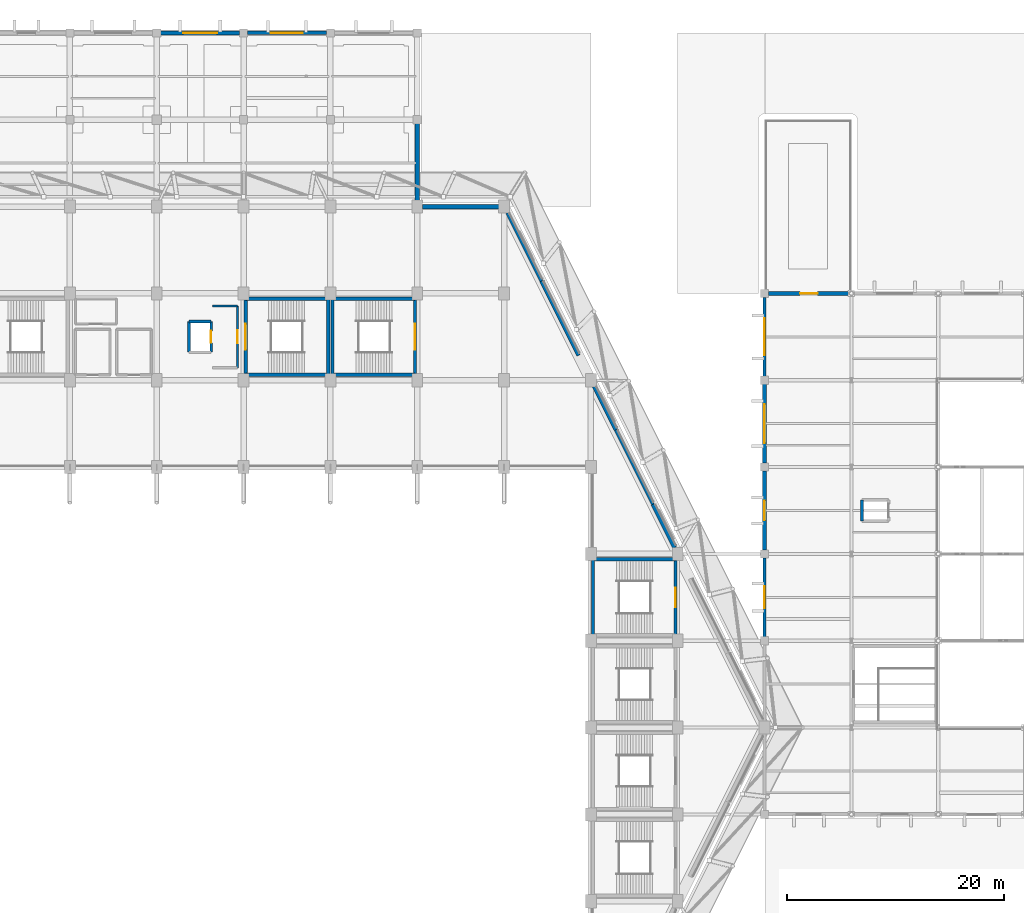
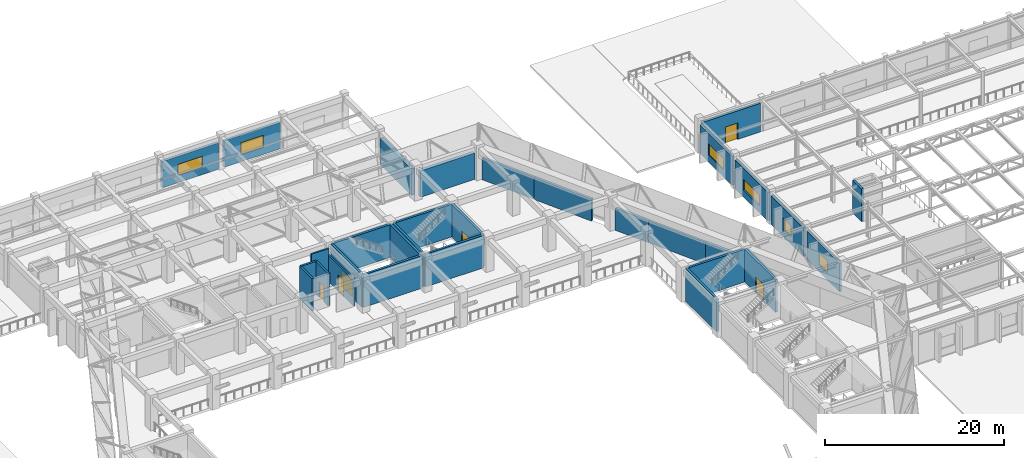
# One storey, part 34 of 46: 31 walls, 6 doors, 6 windows, 12 openings.
"""IFC4 building model written with IfcOpenShell, lengths in metres."""

from ifc_helpers import new_model, si_unit, direction, frame, frame_2d, origin, place, context, subcontext, project, spatial, rectangle, extrude, material, layer, layer_set, type_object, element, fill, save


model = new_model("IFC4")

# Units and contexts
model_context = context("Model", 3, precision=1e-05, world=origin(), true_north=direction((0.0, 1.0)))
body_context = subcontext(model_context, "Body", "Model", "MODEL_VIEW")
ifc_project = project(units=[si_unit("LENGTHUNIT", "METRE"), si_unit("AREAUNIT", "SQUARE_METRE"), si_unit("VOLUMEUNIT", "CUBIC_METRE"), si_unit("PLANEANGLEUNIT", "RADIAN"), si_unit("MASSUNIT", "GRAM", prefix="KILO")], contexts=[model_context])

# Site, building, storey
site_placement = place(None, origin())
site = spatial("IfcSite", under=ifc_project, at=site_placement, CompositionType="ELEMENT")
building_placement = place(site_placement, origin())
building = spatial("IfcBuilding", under=site, at=building_placement, Name="Tazarka Park Arena", CompositionType="ELEMENT")
storey_placement = place(building_placement, frame((0.0, 0.0, 10.199951171875)))
storey = spatial("IfcBuildingStorey", under=building, at=storey_placement, Name="L02", CompositionType="ELEMENT", Elevation=10.199951171875)

# Walls
ifc_material_1 = material(Name="Concrete C40/50", Category="concrete")
ifc_layer_1 = layer(ifc_material_1, 0.300048828125, Name="Concrete C40/50")
ifc_layer_set_1 = layer_set([ifc_layer_1], Name="Concrete C40/50")
wall_type_1 = type_object("IfcWallType", Name="IWAL-CW-S1", PredefinedType="SHEAR", material=ifc_layer_set_1)
wall_1_placement = place(storey_placement, frame((103.800048828125, 96.5, 0.0), z_axis=(0.0, 0.0, 1.0), x_axis=(-1.0, 0.0, 0.0)))
element("IfcWall", 1, at=wall_1_placement, inside=storey, type_object=wall_type_1, Name="SCW-L02-ST10-S", PredefinedType="SHEAR", context=body_context, shape_type="SweptSolid", body=[
    extrude(rectangle(XDim=7.60009765625, YDim=0.300048828125, at=frame_2d((3.800048828125, 0.0))), origin(), (0.0, 0.0, 1.0), 4.4599609375),
])
wall_2_placement = place(storey_placement, frame((96.199951171875, 96.5, 0.0), z_axis=(0.0, 0.0, 1.0), x_axis=(0.0, 1.0, 0.0)))
element("IfcWall", 2, at=wall_2_placement, inside=storey, type_object=wall_type_1, Name="SCW-L02-ST10-W", PredefinedType="SHEAR", context=body_context, shape_type="SweptSolid", body=[
    extrude(rectangle(XDim=7.0, YDim=0.300048828125, at=frame_2d((3.5, 0.0))), origin(), (0.0, 0.0, 1.0), 4.4599609375),
])
wall_3_placement = place(storey_placement, frame((96.199951171875, 103.5, 0.0), z_axis=(0.0, 0.0, 1.0), x_axis=(1.0, 0.0, 0.0)))
element("IfcWall", 3, at=wall_3_placement, inside=storey, type_object=wall_type_1, Name="SCW-L02-ST10-N", PredefinedType="SHEAR", context=body_context, shape_type="SweptSolid", body=[
    extrude(rectangle(XDim=7.60009765625, YDim=0.300048828125, at=frame_2d((3.800048828125, 0.0))), origin(), (0.0, 0.0, 1.0), 4.4599609375),
])

# Wall, opening, door
wall_4_placement = place(storey_placement, frame((103.800048828125, 103.5, 0.0), z_axis=(0.0, 0.0, 1.0), x_axis=(0.0, -1.0, 0.0)))
wall_4 = element("IfcWall", 4, at=wall_4_placement, inside=storey, type_object=wall_type_1, Name="SCW-L02-ST10-E", PredefinedType="SHEAR", context=body_context, shape_type="SweptSolid", body=[
    extrude(rectangle(XDim=7.0, YDim=0.300048828125, at=frame_2d((3.5, 0.0))), origin(), (0.0, 0.0, 1.0), 4.4599609375),
])
opening_1_placement = place(wall_4_placement, frame((2.300048828125, 0.0, 0.0)))
opening_1 = element("IfcOpeningElement", 5, at=opening_1_placement, cuts=wall_4, Name="Opening ID-05", PredefinedType="OPENING", context=body_context, shape_type="SweptSolid", body=[
    extrude(rectangle(XDim=2.39990234375, YDim=2.199951171875, at=frame_2d((1.199951171875, 1.10009765625))), frame((0.0, 0.16015625, 0.0), z_axis=(0.0, -1.0, 0.0), x_axis=(1.0, 0.0, 0.0)), (0.0, 0.0, 1.0), 0.320068359375),
])
ifc_material_2 = material(Name="Fire-rated powder-coated steel and acoustic timber", Category="steel")
door_type_1 = type_object("IfcDoorType", Name="IDR-ID-05", OperationType="NOTDEFINED", PredefinedType="DOOR", material=ifc_material_2)
door_1_placement = place(opening_1_placement, frame((2.39990234375, 0.0, 0.0), z_axis=(0.0, 0.0, 1.0), x_axis=(-1.0, 0.0, 0.0)))
door_1 = element("IfcDoor", 6, at=door_1_placement, inside=storey, type_object=door_type_1, Name="Exit Stair Door ST10-L02", OperationType="DOUBLE_DOOR_SINGLE_SWING", OverallHeight=2.199951171875, OverallWidth=2.39990234375, PredefinedType="DOOR", context=body_context, shape_type="SweptSolid", body=[
    extrude(rectangle(XDim=2.39990234375, YDim=2.199951171875, at=frame_2d((1.199951171875, 1.10009765625))), frame((0.0, 0.02490234375, 0.0), z_axis=(0.0, -1.0, 0.0), x_axis=(1.0, 0.0, 0.0)), (0.0, 0.0, 1.0), 0.050048828125),
])
fill(opening_1, door_1)

# Wall
wall_5_placement = place(storey_placement, frame((95.800048828125, 96.5, 0.0), z_axis=(0.0, 0.0, 1.0), x_axis=(-1.0, 0.0, 0.0)))
element("IfcWall", 7, at=wall_5_placement, inside=storey, type_object=wall_type_1, Name="SCW-L02-ST15-S", PredefinedType="SHEAR", context=body_context, shape_type="SweptSolid", body=[
    extrude(rectangle(XDim=7.60009765625, YDim=0.300048828125, at=frame_2d((3.800048828125, 0.0))), origin(), (0.0, 0.0, 1.0), 4.4599609375),
])

# Wall, opening, door
wall_6_placement = place(storey_placement, frame((88.199951171875, 96.5, 0.0), z_axis=(0.0, 0.0, 1.0), x_axis=(0.0, 1.0, 0.0)))
wall_6 = element("IfcWall", 8, at=wall_6_placement, inside=storey, type_object=wall_type_1, Name="SCW-L02-ST15-W", PredefinedType="SHEAR", context=body_context, shape_type="SweptSolid", body=[
    extrude(rectangle(XDim=7.0, YDim=0.300048828125, at=frame_2d((3.5, 0.0))), origin(), (0.0, 0.0, 1.0), 4.4599609375),
])
opening_2_placement = place(wall_6_placement, frame((2.300048828125, 0.0, 0.0)))
opening_2 = element("IfcOpeningElement", 9, at=opening_2_placement, cuts=wall_6, Name="Opening ID-05", PredefinedType="OPENING", context=body_context, shape_type="SweptSolid", body=[
    extrude(rectangle(XDim=2.39990234375, YDim=2.199951171875, at=frame_2d((1.199951171875, 1.10009765625))), frame((0.0, 0.16015625, 0.0), z_axis=(0.0, -1.0, 0.0), x_axis=(1.0, 0.0, 0.0)), (0.0, 0.0, 1.0), 0.320068359375),
])
door_2_placement = place(opening_2_placement, frame((2.39990234375, 0.0, 0.0), z_axis=(0.0, 0.0, 1.0), x_axis=(-1.0, 0.0, 0.0)))
door_2 = element("IfcDoor", 10, at=door_2_placement, inside=storey, type_object=door_type_1, Name="Exit Stair Door ST15-L02", OperationType="DOUBLE_DOOR_SINGLE_SWING", OverallHeight=2.199951171875, OverallWidth=2.39990234375, PredefinedType="DOOR", context=body_context, shape_type="SweptSolid", body=[
    extrude(rectangle(XDim=2.39990234375, YDim=2.199951171875, at=frame_2d((1.199951171875, 1.10009765625))), frame((0.0, 0.02490234375, 0.0), z_axis=(0.0, -1.0, 0.0), x_axis=(1.0, 0.0, 0.0)), (0.0, 0.0, 1.0), 0.050048828125),
])
fill(opening_2, door_2)

# Walls
wall_7_placement = place(storey_placement, frame((88.199951171875, 103.5, 0.0), z_axis=(0.0, 0.0, 1.0), x_axis=(1.0, 0.0, 0.0)))
element("IfcWall", 11, at=wall_7_placement, inside=storey, type_object=wall_type_1, Name="SCW-L02-ST15-N", PredefinedType="SHEAR", context=body_context, shape_type="SweptSolid", body=[
    extrude(rectangle(XDim=7.60009765625, YDim=0.300048828125, at=frame_2d((3.800048828125, 0.0))), origin(), (0.0, 0.0, 1.0), 4.4599609375),
])
for number, where, z_axis, x_axis, name in (
    (12, (95.800048828125, 103.5, 0.0), (0.0, 0.0, 1.0), (0.0, -1.0, 0.0), "SCW-L02-ST15-E"),
    (13, (120.199951171875, 72.5, 0.0), (0.0, 0.0, 1.0), (0.0, 1.0, 0.0), "SCW-L02-ST22-W"),
):
    element("IfcWall", number, at=place(storey_placement, frame(where, z_axis=z_axis, x_axis=x_axis)), inside=storey, type_object=wall_type_1, Name=name, PredefinedType="SHEAR", context=body_context, shape_type="SweptSolid", body=[
        extrude(rectangle(XDim=7.0, YDim=0.300048828125, at=frame_2d((3.5, 0.0))), origin(), (0.0, 0.0, 1.0), 4.4599609375),
    ])
wall_8_placement = place(storey_placement, frame((120.199951171875, 79.5, 0.0), z_axis=(0.0, 0.0, 1.0), x_axis=(1.0, 0.0, 0.0)))
element("IfcWall", 14, at=wall_8_placement, inside=storey, type_object=wall_type_1, Name="SCW-L02-ST22-N", PredefinedType="SHEAR", context=body_context, shape_type="SweptSolid", body=[
    extrude(rectangle(XDim=7.60009765625, YDim=0.300048828125, at=frame_2d((3.800048828125, 0.0))), origin(), (0.0, 0.0, 1.0), 4.4599609375),
])

# Wall, opening, door
wall_9_placement = place(storey_placement, frame((127.800048828125, 79.5, 0.0), z_axis=(0.0, 0.0, 1.0), x_axis=(0.0, -1.0, 0.0)))
wall_9 = element("IfcWall", 15, at=wall_9_placement, inside=storey, type_object=wall_type_1, Name="SCW-L02-ST22-E", PredefinedType="SHEAR", context=body_context, shape_type="SweptSolid", body=[
    extrude(rectangle(XDim=7.0, YDim=0.300048828125, at=frame_2d((3.5, 0.0))), origin(), (0.0, 0.0, 1.0), 4.4599609375),
])
opening_3_placement = place(wall_9_placement, frame((2.60009765625, 0.0, 0.0)))
opening_3 = element("IfcOpeningElement", 16, at=opening_3_placement, cuts=wall_9, Name="Opening ID-04", PredefinedType="OPENING", context=body_context, shape_type="SweptSolid", body=[
    extrude(rectangle(XDim=1.800048828125, YDim=2.199951171875, at=frame_2d((0.89990234375, 1.10009765625))), frame((0.0, 0.16015625, 0.0), z_axis=(0.0, -1.0, 0.0), x_axis=(1.0, 0.0, 0.0)), (0.0, 0.0, 1.0), 0.320068359375),
])
ifc_material_3 = material(Name="Fire-rated powder-coated steel and acoustic timber", Category="steel")
door_type_2 = type_object("IfcDoorType", Name="IDR-ID-04", OperationType="NOTDEFINED", PredefinedType="DOOR", material=ifc_material_3)
door_3_placement = place(opening_3_placement, frame((1.800048828125, 0.0, 0.0), z_axis=(0.0, 0.0, 1.0), x_axis=(-1.0, 0.0, 0.0)))
door_3 = element("IfcDoor", 17, at=door_3_placement, inside=storey, type_object=door_type_2, Name="Vomitory Stair Door ST22-L02", OperationType="DOUBLE_DOOR_SINGLE_SWING", OverallHeight=2.199951171875, OverallWidth=1.800048828125, PredefinedType="DOOR", context=body_context, shape_type="SweptSolid", body=[
    extrude(rectangle(XDim=1.800048828125, YDim=2.199951171875, at=frame_2d((0.89990234375, 1.10009765625))), frame((0.0, 0.02490234375, 0.0), z_axis=(0.0, -1.0, 0.0), x_axis=(1.0, 0.0, 0.0)), (0.0, 0.0, 1.0), 0.050048828125),
])
fill(opening_3, door_3)

# Walls
ifc_material_4 = material(Name="Concrete C40/50", Category="concrete")
ifc_layer_2 = layer(ifc_material_4, 0.260009765625, Name="Concrete C40/50")
ifc_layer_set_2 = layer_set([ifc_layer_2], Name="Concrete C40/50")
wall_type_2 = type_object("IfcWallType", Name="IWAL-CW-S3", PredefinedType="SHEAR", material=ifc_layer_set_2)
wall_10_placement = place(storey_placement, frame((82.97998046875, 98.580078125, 0.0), z_axis=(0.0, 0.0, 1.0), x_axis=(0.0, 1.0, 0.0)))
element("IfcWall", 18, at=wall_10_placement, inside=storey, type_object=wall_type_2, Name="LSW-L02-LF-03-W", PredefinedType="SHEAR", context=body_context, shape_type="SweptSolid", body=[
    extrude(rectangle(XDim=2.83984375, YDim=0.260009765625, at=frame_2d((1.419921875, 0.0))), origin(), (0.0, 0.0, 1.0), 4.4599609375),
])
wall_11_placement = place(storey_placement, frame((82.97998046875, 101.419921875, 0.0), z_axis=(0.0, 0.0, 1.0), x_axis=(1.0, 0.0, 0.0)))
element("IfcWall", 19, at=wall_11_placement, inside=storey, type_object=wall_type_2, Name="LSW-L02-LF-03-N", PredefinedType="SHEAR", context=body_context, shape_type="SweptSolid", body=[
    extrude(rectangle(XDim=2.0400390625, YDim=0.260009765625, at=frame_2d((1.02001953125, 0.0))), origin(), (0.0, 0.0, 1.0), 4.4599609375),
])

# Wall, opening, door
wall_12_placement = place(storey_placement, frame((85.02001953125, 101.419921875, 0.0), z_axis=(0.0, 0.0, 1.0), x_axis=(0.0, -1.0, 0.0)))
wall_12 = element("IfcWall", 20, at=wall_12_placement, inside=storey, type_object=wall_type_2, Name="LSW-L02-LF-03-E", PredefinedType="SHEAR", context=body_context, shape_type="SweptSolid", body=[
    extrude(rectangle(XDim=2.83984375, YDim=0.260009765625, at=frame_2d((1.419921875, 0.0))), origin(), (0.0, 0.0, 1.0), 4.4599609375),
])
opening_4_placement = place(wall_12_placement, frame((0.8701171875, 0.0, 0.0)))
opening_4 = element("IfcOpeningElement", 21, at=opening_4_placement, cuts=wall_12, Name="Opening LD-01", PredefinedType="OPENING", context=body_context, shape_type="SweptSolid", body=[
    extrude(rectangle(XDim=1.10009765625, YDim=2.14990234375, at=frame_2d((0.550048828125, 1.074951171875))), frame((0.0, 0.14013671875, 0.0), z_axis=(0.0, -1.0, 0.0), x_axis=(1.0, 0.0, 0.0)), (0.0, 0.0, 1.0), 0.280029296875),
])
ifc_material_5 = material(Name="Fire-rated powder-coated steel and acoustic timber", Category="steel")
door_type_3 = type_object("IfcDoorType", Name="IDR-LD-01", OperationType="NOTDEFINED", PredefinedType="DOOR", material=ifc_material_5)
door_4_placement = place(opening_4_placement, origin())
door_4 = element("IfcDoor", 22, at=door_4_placement, inside=storey, type_object=door_type_3, Name="Lift Landing Door LF-03-L02", OperationType="SLIDING_TO_LEFT", OverallHeight=2.14990234375, OverallWidth=1.10009765625, PredefinedType="DOOR", context=body_context, shape_type="SweptSolid", body=[
    extrude(rectangle(XDim=1.10009765625, YDim=2.14990234375, at=frame_2d((0.550048828125, 1.074951171875))), frame((0.0, 0.02490234375, 0.0), z_axis=(0.0, -1.0, 0.0), x_axis=(1.0, 0.0, 0.0)), (0.0, 0.0, 1.0), 0.050048828125),
])
fill(opening_4, door_4)

# Walls
wall_13_placement = place(storey_placement, frame((144.97998046875, 83.030029296875, 0.0), z_axis=(0.0, 0.0, 1.0), x_axis=(0.0, 1.0, 0.0)))
element("IfcWall", 23, at=wall_13_placement, inside=storey, type_object=wall_type_2, Name="LSW-L02-LF-10-W", PredefinedType="SHEAR", context=body_context, shape_type="SweptSolid", body=[
    extrude(rectangle(XDim=1.93994140625, YDim=0.260009765625, at=frame_2d((0.969970703125, 0.0))), origin(), (0.0, 0.0, 1.0), 4.4599609375),
])
ifc_material_6 = material(Name="Reinforced masonry compartment wall", Category="masonry")
ifc_layer_3 = layer(ifc_material_6, 0.199951171875, Name="Reinforced masonry compartment wall")
ifc_layer_set_3 = layer_set([ifc_layer_3], Name="Reinforced masonry compartment wall")
wall_type_3 = type_object("IfcWallType", Name="IWAL-PT-04", PredefinedType="PARTITIONING", material=ifc_layer_set_3)
wall_14_placement = place(storey_placement, frame((85.14990234375, 102.85009765625, 0.0), z_axis=(0.0, 0.0, 1.0), x_axis=(1.0, 0.0, 0.0)))
element("IfcWall", 24, at=wall_14_placement, inside=storey, type_object=wall_type_3, Name="FFW-L02-LF-03-N", PredefinedType="PARTITIONING", context=body_context, shape_type="SweptSolid", body=[
    extrude(rectangle(XDim=2.300048828125, YDim=0.199951171875, at=frame_2d((1.14990234375, 0.0))), origin(), (0.0, 0.0, 1.0), 4.4599609375),
])

# Wall, opening, door
wall_15_placement = place(storey_placement, frame((87.449951171875, 102.85009765625, 0.0), z_axis=(0.0, 0.0, 1.0), x_axis=(0.0, -1.0, 0.0)))
wall_15 = element("IfcWall", 25, at=wall_15_placement, inside=storey, type_object=wall_type_3, Name="FFW-L02-LF-03-E", PredefinedType="PARTITIONING", context=body_context, shape_type="SweptSolid", body=[
    extrude(rectangle(XDim=5.7001953125, YDim=0.199951171875, at=frame_2d((2.85009765625, 0.0))), origin(), (0.0, 0.0, 1.0), 3.60009765625),
])
opening_5_placement = place(wall_15_placement, frame((2.25, 0.0, 0.0)))
opening_5 = element("IfcOpeningElement", 26, at=opening_5_placement, cuts=wall_15, Name="Opening ID-03", PredefinedType="OPENING", context=body_context, shape_type="SweptSolid", body=[
    extrude(rectangle(XDim=1.199951171875, YDim=2.199951171875, at=frame_2d((0.60009765625, 1.10009765625))), frame((0.0, 0.10986328125, 0.0), z_axis=(0.0, -1.0, 0.0), x_axis=(1.0, 0.0, 0.0)), (0.0, 0.0, 1.0), 0.219970703125),
])
ifc_material_7 = material(Name="Fire-rated powder-coated steel and acoustic timber", Category="steel")
door_type_4 = type_object("IfcDoorType", Name="IDR-ID-03", OperationType="NOTDEFINED", PredefinedType="DOOR", material=ifc_material_7)
door_5_placement = place(opening_5_placement, origin())
door_5 = element("IfcDoor", 27, at=door_5_placement, inside=storey, type_object=door_type_4, Name="Firefighting Lobby Door LF-03-L02", OperationType="SINGLE_SWING_RIGHT", OverallHeight=2.199951171875, OverallWidth=1.199951171875, PredefinedType="DOOR", context=body_context, shape_type="SweptSolid", body=[
    extrude(rectangle(XDim=1.199951171875, YDim=2.199951171875, at=frame_2d((0.60009765625, 1.10009765625))), frame((0.0, 0.02490234375, 0.0), z_axis=(0.0, -1.0, 0.0), x_axis=(1.0, 0.0, 0.0)), (0.0, 0.0, 1.0), 0.050048828125),
])
fill(opening_5, door_5)

# Wall, opening, window
ifc_material_8 = material(Name="Precast concrete C40/50", Category="concrete")
ifc_layer_4 = layer(ifc_material_8, 0.320068359375, Name="Precast concrete C40/50")
ifc_layer_set_4 = layer_set([ifc_layer_4], Name="Precast concrete C40/50")
wall_type_4 = type_object("IfcWallType", Name="WAL-EW-02", PredefinedType="SOLIDWALL", material=ifc_layer_set_4)
wall_16_placement = place(storey_placement, frame((88.35498046875, 128.0, 0.0), z_axis=(0.0, 0.0, 1.0), x_axis=(1.0, 0.0, 0.0)))
wall_16 = element("IfcWall", 28, at=wall_16_placement, inside=storey, type_object=wall_type_4, Name="EW-L02-0225", PredefinedType="SOLIDWALL", context=body_context, shape_type="SweptSolid", body=[
    extrude(rectangle(XDim=7.2900390625, YDim=0.320068359375, at=frame_2d((3.64501953125, 0.0))), origin(), (0.0, 0.0, 1.0), 3.60009765625),
])
opening_6_placement = place(wall_16_placement, frame((2.169921875, 0.0, 0.949951171875)))
opening_6 = element("IfcOpeningElement", 29, at=opening_6_placement, cuts=wall_16, Name="Opening WN-32", PredefinedType="OPENING", context=body_context, shape_type="SweptSolid", body=[
    extrude(rectangle(XDim=2.949951171875, YDim=1.64990234375, at=frame_2d((1.47509765625, 0.824951171875))), frame((0.0, 0.169921875, 0.0), z_axis=(0.0, -1.0, 0.0), x_axis=(1.0, 0.0, 0.0)), (0.0, 0.0, 1.0), 0.340087890625),
])
ifc_material_9 = material(Name="Thermally broken aluminium and solar-control low-e glazing", Category="aluminium")
window_type_1 = type_object("IfcWindowType", Name="WIN-WN-32", PartitioningType="DOUBLE_PANEL_VERTICAL", PredefinedType="WINDOW", material=ifc_material_9)
window_1_placement = place(opening_6_placement, origin())
window_1 = element("IfcWindow", 30, at=window_1_placement, inside=storey, type_object=window_type_1, Name="WIN-L02-0032", OverallHeight=1.64990234375, OverallWidth=2.949951171875, PartitioningType="SINGLE_PANEL", PredefinedType="WINDOW", context=body_context, shape_type="SweptSolid", body=[
    extrude(rectangle(XDim=2.949951171875, YDim=1.64990234375, at=frame_2d((1.47509765625, 0.824951171875))), frame((0.0, 0.030029296875, 0.0), z_axis=(0.0, -1.0, 0.0), x_axis=(1.0, 0.0, 0.0)), (0.0, 0.0, 1.0), 0.06005859375),
])
fill(opening_6, window_1)

ifc_material_10 = material(Name="Concrete C40/50", Category="concrete")
ifc_layer_5 = layer(ifc_material_10, 0.340087890625, Name="Concrete C40/50")
ifc_layer_set_5 = layer_set([ifc_layer_5], Name="Concrete C40/50")
wall_type_5 = type_object("IfcWallType", Name="WAL-EW-03", PredefinedType="SOLIDWALL", material=ifc_layer_set_5)
wall_17_placement = place(storey_placement, frame((80.35498046875, 128.0, 0.0), z_axis=(0.0, 0.0, 1.0), x_axis=(1.0, 0.0, 0.0)))
wall_17 = element("IfcWall", 31, at=wall_17_placement, inside=storey, type_object=wall_type_5, Name="EW-L02-0226", PredefinedType="SOLIDWALL", context=body_context, shape_type="SweptSolid", body=[
    extrude(rectangle(XDim=7.2900390625, YDim=0.340087890625, at=frame_2d((3.64501953125, 0.0))), origin(), (0.0, 0.0, 1.0), 3.60009765625),
])
opening_7_placement = place(wall_17_placement, frame((2.070068359375, 0.0, 0.949951171875)))
opening_7 = element("IfcOpeningElement", 32, at=opening_7_placement, cuts=wall_17, Name="Opening WN-33", PredefinedType="OPENING", context=body_context, shape_type="SweptSolid", body=[
    extrude(rectangle(XDim=3.14990234375, YDim=1.550048828125, at=frame_2d((1.574951171875, 0.77490234375))), frame((0.0, 0.18017578125, 0.0), z_axis=(0.0, -1.0, 0.0), x_axis=(1.0, 0.0, 0.0)), (0.0, 0.0, 1.0), 0.360107421875),
])
ifc_material_11 = material(Name="Thermally broken aluminium and solar-control low-e glazing", Category="aluminium")
window_type_2 = type_object("IfcWindowType", Name="WIN-WN-33", PartitioningType="DOUBLE_PANEL_VERTICAL", PredefinedType="WINDOW", material=ifc_material_11)
window_2_placement = place(opening_7_placement, origin())
window_2 = element("IfcWindow", 33, at=window_2_placement, inside=storey, type_object=window_type_2, Name="WIN-L02-0033", OverallHeight=1.550048828125, OverallWidth=3.14990234375, PartitioningType="SINGLE_PANEL", PredefinedType="WINDOW", context=body_context, shape_type="SweptSolid", body=[
    extrude(rectangle(XDim=3.14990234375, YDim=1.550048828125, at=frame_2d((1.574951171875, 0.77490234375))), frame((0.0, 0.030029296875, 0.0), z_axis=(0.0, -1.0, 0.0), x_axis=(1.0, 0.0, 0.0)), (0.0, 0.0, 1.0), 0.06005859375),
])
fill(opening_7, window_2)

ifc_material_12 = material(Name="Concrete C50/60", Category="concrete")
ifc_layer_6 = layer(ifc_material_12, 0.3798828125, Name="Concrete C50/60")
ifc_layer_set_6 = layer_set([ifc_layer_6], Name="Concrete C50/60")
wall_type_6 = type_object("IfcWallType", Name="WAL-EW-05", PredefinedType="SOLIDWALL", material=ifc_layer_set_6)
wall_18_placement = place(storey_placement, frame((136.0, 80.35498046875, 0.0), z_axis=(0.0, 0.0, 1.0), x_axis=(0.0, 1.0, 0.0)))
wall_18 = element("IfcWall", 34, at=wall_18_placement, inside=storey, type_object=wall_type_6, Name="EW-L02-0260", PredefinedType="SOLIDWALL", context=body_context, shape_type="SweptSolid", body=[
    extrude(rectangle(XDim=7.2900390625, YDim=0.3798828125, at=frame_2d((3.64501953125, 0.0))), origin(), (0.0, 0.0, 1.0), 3.91015625),
])
opening_8_placement = place(wall_18_placement, frame((2.7451171875, 0.0, 0.949951171875)))
opening_8 = element("IfcOpeningElement", 35, at=opening_8_placement, cuts=wall_18, Name="Opening WN-02", PredefinedType="OPENING", context=body_context, shape_type="SweptSolid", body=[
    extrude(rectangle(XDim=1.800048828125, YDim=1.60009765625, at=frame_2d((0.89990234375, 0.800048828125))), frame((0.0, 0.199951171875, 0.0), z_axis=(0.0, -1.0, 0.0), x_axis=(1.0, 0.0, 0.0)), (0.0, 0.0, 1.0), 0.39990234375),
])
ifc_material_13 = material(Name="Thermally broken aluminium and solar-control low-e glazing", Category="aluminium")
window_type_3 = type_object("IfcWindowType", Name="WIN-WN-02", PartitioningType="DOUBLE_PANEL_VERTICAL", PredefinedType="WINDOW", material=ifc_material_13)
window_3_placement = place(opening_8_placement, origin())
window_3 = element("IfcWindow", 36, at=window_3_placement, inside=storey, type_object=window_type_3, Name="WIN-L02-0038", OverallHeight=1.60009765625, OverallWidth=1.800048828125, PartitioningType="SINGLE_PANEL", PredefinedType="WINDOW", context=body_context, shape_type="SweptSolid", body=[
    extrude(rectangle(XDim=1.800048828125, YDim=1.60009765625, at=frame_2d((0.89990234375, 0.800048828125))), frame((0.0, 0.030029296875, 0.0), z_axis=(0.0, -1.0, 0.0), x_axis=(1.0, 0.0, 0.0)), (0.0, 0.0, 1.0), 0.06005859375),
])
fill(opening_8, window_3)

ifc_material_14 = material(Name="Precast concrete C40/50", Category="concrete")
ifc_layer_7 = layer(ifc_material_14, 0.280029296875, Name="Precast concrete C40/50")
ifc_layer_set_7 = layer_set([ifc_layer_7], Name="Precast concrete C40/50")
wall_type_7 = type_object("IfcWallType", Name="WAL-EW-06", PredefinedType="SOLIDWALL", material=ifc_layer_set_7)
wall_19_placement = place(storey_placement, frame((136.0, 72.35498046875, 0.0), z_axis=(0.0, 0.0, 1.0), x_axis=(0.0, 1.0, 0.0)))
wall_19 = element("IfcWall", 37, at=wall_19_placement, inside=storey, type_object=wall_type_7, Name="EW-L02-0261", PredefinedType="SOLIDWALL", context=body_context, shape_type="SweptSolid", body=[
    extrude(rectangle(XDim=7.2900390625, YDim=0.280029296875, at=frame_2d((3.64501953125, 0.0))), origin(), (0.0, 0.0, 1.0), 3.91015625),
])
opening_9_placement = place(wall_19_placement, frame((2.64501953125, 0.0, 0.949951171875)))
opening_9 = element("IfcOpeningElement", 38, at=opening_9_placement, cuts=wall_19, Name="Opening WN-03", PredefinedType="OPENING", context=body_context, shape_type="SweptSolid", body=[
    extrude(rectangle(XDim=2.0, YDim=1.60009765625, at=frame_2d((1.0, 0.800048828125))), frame((0.0, 0.14990234375, 0.0), z_axis=(0.0, -1.0, 0.0), x_axis=(1.0, 0.0, 0.0)), (0.0, 0.0, 1.0), 0.300048828125),
])
ifc_material_15 = material(Name="Thermally broken aluminium and solar-control low-e glazing", Category="aluminium")
window_type_4 = type_object("IfcWindowType", Name="WIN-WN-03", PartitioningType="DOUBLE_PANEL_VERTICAL", PredefinedType="WINDOW", material=ifc_material_15)
window_4_placement = place(opening_9_placement, origin())
window_4 = element("IfcWindow", 39, at=window_4_placement, inside=storey, type_object=window_type_4, Name="WIN-L02-0039", OverallHeight=1.60009765625, OverallWidth=2.0, PartitioningType="SINGLE_PANEL", PredefinedType="WINDOW", context=body_context, shape_type="SweptSolid", body=[
    extrude(rectangle(XDim=2.0, YDim=1.60009765625, at=frame_2d((1.0, 0.800048828125))), frame((0.0, 0.030029296875, 0.0), z_axis=(0.0, -1.0, 0.0), x_axis=(1.0, 0.0, 0.0)), (0.0, 0.0, 1.0), 0.06005859375),
])
fill(opening_9, window_4)

# Walls
ifc_material_16 = material(Name="Precast concrete C40/50", Category="concrete")
ifc_layer_8 = layer(ifc_material_16, 0.31005859375, Name="Precast concrete C40/50")
ifc_layer_set_8 = layer_set([ifc_layer_8], Name="Precast concrete C40/50")
wall_type_8 = type_object("IfcWallType", Name="WAL-EW-08", PredefinedType="SOLIDWALL", material=ifc_layer_set_8)
wall_20_placement = place(storey_placement, frame((112.2900390625, 111.419921875, 0.0), z_axis=(0.0, 0.0, 1.0), x_axis=(0.447227510427, -0.894420233401, 0.0)))
element("IfcWall", 40, at=wall_20_placement, inside=storey, type_object=wall_type_8, Name="EW-L02-0215", PredefinedType="SOLIDWALL", context=body_context, shape_type="SweptSolid", body=[
    extrude(rectangle(XDim=7.01806640625, YDim=0.31005859375, at=frame_2d((3.509033203125, 0.0))), origin(), (0.0, 0.0, 1.0), 3.0),
])
ifc_material_17 = material(Name="Concrete C40/50", Category="concrete")
ifc_layer_9 = layer(ifc_material_17, 0.330078125, Name="Concrete C40/50")
ifc_layer_set_9 = layer_set([ifc_layer_9], Name="Concrete C40/50")
wall_type_9 = type_object("IfcWallType", Name="WAL-EW-09", PredefinedType="SOLIDWALL", material=ifc_layer_set_9)
wall_21_placement = place(storey_placement, frame((115.4287109375, 105.142822265625, 0.0), z_axis=(0.0, 0.0, 1.0), x_axis=(0.447200857411, -0.894433559931, 0.0)))
element("IfcWall", 41, at=wall_21_placement, inside=storey, type_object=wall_type_9, Name="EW-L02-0216", PredefinedType="SOLIDWALL", context=body_context, shape_type="SweptSolid", body=[
    extrude(rectangle(XDim=7.66650390625, YDim=0.330078125, at=frame_2d((3.833251953125, 0.0))), origin(), (0.0, 0.0, 1.0), 3.0),
])
ifc_material_18 = material(Name="Concrete C40/50", Category="concrete")
ifc_layer_10 = layer(ifc_material_18, 0.35009765625, Name="Concrete C40/50")
ifc_layer_set_10 = layer_set([ifc_layer_10], Name="Concrete C40/50")
wall_type_10 = type_object("IfcWallType", Name="WAL-EW-10", PredefinedType="SOLIDWALL", material=ifc_layer_set_10)
wall_22_placement = place(storey_placement, frame((120.2900390625, 95.419921875, 0.0), z_axis=(0.0, 0.0, 1.0), x_axis=(0.4472135955, -0.894427191, 0.0)))
element("IfcWall", 42, at=wall_22_placement, inside=storey, type_object=wall_type_10, Name="EW-L02-0217", PredefinedType="SOLIDWALL", context=body_context, shape_type="SweptSolid", body=[
    extrude(rectangle(XDim=4.46240234375, YDim=0.35009765625, at=frame_2d((2.231201171875, 0.0))), origin(), (0.0, 0.0, 1.0), 3.0),
])

# Wall, opening, door
wall_23_placement = place(storey_placement, frame((136.35498046875, 104.0, 0.0), z_axis=(0.0, 0.0, 1.0), x_axis=(1.0, 0.0, 0.0)))
wall_23 = element("IfcWall", 43, at=wall_23_placement, inside=storey, type_object=wall_type_10, Name="EW-L02-0281", PredefinedType="SOLIDWALL", context=body_context, shape_type="SweptSolid", body=[
    extrude(rectangle(XDim=7.4619140625, YDim=0.35009765625, at=frame_2d((3.73095703125, 0.0))), origin(), (0.0, 0.0, 1.0), 3.91015625),
])
opening_10_placement = place(wall_23_placement, frame((2.930908203125, 0.0, 0.0)))
opening_10 = element("IfcOpeningElement", 44, at=opening_10_placement, cuts=wall_23, Name="Opening ED-08", PredefinedType="OPENING", context=body_context, shape_type="SweptSolid", body=[
    extrude(rectangle(XDim=1.60009765625, YDim=2.25, at=frame_2d((0.800048828125, 1.125))), frame((0.0, 0.18505859375, 0.0), z_axis=(0.0, -1.0, 0.0), x_axis=(1.0, 0.0, 0.0)), (0.0, 0.0, 1.0), 0.3701171875),
])
ifc_material_19 = material(Name="Thermally broken anodised aluminium and laminated safety glass", Category="aluminium")
door_type_5 = type_object("IfcDoorType", Name="DR-ED-08", OperationType="NOTDEFINED", PredefinedType="DOOR", material=ifc_material_19)
door_6_placement = place(opening_10_placement, origin())
door_6 = element("IfcDoor", 45, at=door_6_placement, inside=storey, type_object=door_type_5, Name="Roof Garden Terrace Door EW-L02-0281", OperationType="DOUBLE_DOOR_SINGLE_SWING", OverallHeight=2.25, OverallWidth=1.60009765625, PredefinedType="DOOR", context=body_context, shape_type="SweptSolid", body=[
    extrude(rectangle(XDim=1.60009765625, YDim=2.25, at=frame_2d((0.800048828125, 1.125))), frame((0.0, 0.02490234375, 0.0), z_axis=(0.0, -1.0, 0.0), x_axis=(1.0, 0.0, 0.0)), (0.0, 0.0, 1.0), 0.050048828125),
])
fill(opening_10, door_6)

# Wall
ifc_material_20 = material(Name="Precast concrete C40/50", Category="concrete")
ifc_layer_11 = layer(ifc_material_20, 0.27001953125, Name="Precast concrete C40/50")
ifc_layer_set_11 = layer_set([ifc_layer_11], Name="Precast concrete C40/50")
wall_type_11 = type_object("IfcWallType", Name="WAL-EW-11", PredefinedType="SOLIDWALL", material=ifc_layer_set_11)
wall_24_placement = place(storey_placement, frame((122.28564453125, 91.4287109375, 0.0), z_axis=(0.0, 0.0, 1.0), x_axis=(0.4472135955, -0.894427191, 0.0)))
element("IfcWall", 46, at=wall_24_placement, inside=storey, type_object=wall_type_11, Name="EW-L02-0218", PredefinedType="SOLIDWALL", context=body_context, shape_type="SweptSolid", body=[
    extrude(rectangle(XDim=7.666748046875, YDim=0.27001953125, at=frame_2d((3.83349609375, 0.0))), origin(), (0.0, 0.0, 1.0), 3.0),
])

# Wall, opening, window
wall_25_placement = place(storey_placement, frame((136.0, 96.35498046875, 0.0), z_axis=(0.0, 0.0, 1.0), x_axis=(0.0, 1.0, 0.0)))
wall_25 = element("IfcWall", 47, at=wall_25_placement, inside=storey, type_object=wall_type_11, Name="EW-L02-0282", PredefinedType="SOLIDWALL", context=body_context, shape_type="SweptSolid", body=[
    extrude(rectangle(XDim=7.2900390625, YDim=0.27001953125, at=frame_2d((3.64501953125, 0.0))), origin(), (0.0, 0.0, 1.0), 3.91015625),
])
opening_11_placement = place(wall_25_placement, frame((1.945068359375, 0.0, 0.949951171875)))
opening_11 = element("IfcOpeningElement", 48, at=opening_11_placement, cuts=wall_25, Name="Opening WN-15", PredefinedType="OPENING", context=body_context, shape_type="SweptSolid", body=[
    extrude(rectangle(XDim=3.39990234375, YDim=1.5, at=frame_2d((1.699951171875, 0.75))), frame((0.0, 0.14501953125, 0.0), z_axis=(0.0, -1.0, 0.0), x_axis=(1.0, 0.0, 0.0)), (0.0, 0.0, 1.0), 0.2900390625),
])
ifc_material_21 = material(Name="Thermally broken aluminium and solar-control low-e glazing", Category="aluminium")
window_type_5 = type_object("IfcWindowType", Name="WIN-WN-15", PartitioningType="DOUBLE_PANEL_VERTICAL", PredefinedType="WINDOW", material=ifc_material_21)
window_5_placement = place(opening_11_placement, origin())
window_5 = element("IfcWindow", 49, at=window_5_placement, inside=storey, type_object=window_type_5, Name="WIN-L02-0051", OverallHeight=1.5, OverallWidth=3.39990234375, PartitioningType="SINGLE_PANEL", PredefinedType="WINDOW", context=body_context, shape_type="SweptSolid", body=[
    extrude(rectangle(XDim=3.39990234375, YDim=1.5, at=frame_2d((1.699951171875, 0.75))), frame((0.0, 0.030029296875, 0.0), z_axis=(0.0, -1.0, 0.0), x_axis=(1.0, 0.0, 0.0)), (0.0, 0.0, 1.0), 0.06005859375),
])
fill(opening_11, window_5)

# Wall
ifc_material_22 = material(Name="Concrete C40/50", Category="concrete")
ifc_layer_12 = layer(ifc_material_22, 0.3701171875, Name="Concrete C40/50")
ifc_layer_set_12 = layer_set([ifc_layer_12], Name="Concrete C40/50")
wall_type_12 = type_object("IfcWallType", Name="WAL-EW-12", PredefinedType="SOLIDWALL", material=ifc_layer_set_12)
wall_26_placement = place(storey_placement, frame((125.71435546875, 84.5712890625, 0.0), z_axis=(0.0, 0.0, 1.0), x_axis=(0.4472135955, -0.894427191, 0.0)))
element("IfcWall", 50, at=wall_26_placement, inside=storey, type_object=wall_type_12, Name="EW-L02-0219", PredefinedType="SOLIDWALL", context=body_context, shape_type="SweptSolid", body=[
    extrude(rectangle(XDim=4.46240234375, YDim=0.3701171875, at=frame_2d((2.231201171875, 0.0))), origin(), (0.0, 0.0, 1.0), 3.0),
])

# Wall, opening, window
wall_27_placement = place(storey_placement, frame((136.0, 88.35498046875, 0.0), z_axis=(0.0, 0.0, 1.0), x_axis=(0.0, 1.0, 0.0)))
wall_27 = element("IfcWall", 51, at=wall_27_placement, inside=storey, type_object=wall_type_12, Name="EW-L02-0283", PredefinedType="SOLIDWALL", context=body_context, shape_type="SweptSolid", body=[
    extrude(rectangle(XDim=7.2900390625, YDim=0.3701171875, at=frame_2d((3.64501953125, 0.0))), origin(), (0.0, 0.0, 1.0), 3.91015625),
])
opening_12_placement = place(wall_27_placement, frame((1.844970703125, 0.0, 0.949951171875)))
opening_12 = element("IfcOpeningElement", 52, at=opening_12_placement, cuts=wall_27, Name="Opening WN-16", PredefinedType="OPENING", context=body_context, shape_type="SweptSolid", body=[
    extrude(rectangle(XDim=3.60009765625, YDim=1.5, at=frame_2d((1.800048828125, 0.75))), frame((0.0, 0.195068359375, 0.0), z_axis=(0.0, -1.0, 0.0), x_axis=(1.0, 0.0, 0.0)), (0.0, 0.0, 1.0), 0.39013671875),
])
ifc_material_23 = material(Name="Thermally broken aluminium and solar-control low-e glazing", Category="aluminium")
window_type_6 = type_object("IfcWindowType", Name="WIN-WN-16", PartitioningType="DOUBLE_PANEL_VERTICAL", PredefinedType="WINDOW", material=ifc_material_23)
window_6_placement = place(opening_12_placement, origin())
window_6 = element("IfcWindow", 53, at=window_6_placement, inside=storey, type_object=window_type_6, Name="WIN-L02-0052", OverallHeight=1.5, OverallWidth=3.60009765625, PartitioningType="SINGLE_PANEL", PredefinedType="WINDOW", context=body_context, shape_type="SweptSolid", body=[
    extrude(rectangle(XDim=3.60009765625, YDim=1.5, at=frame_2d((1.800048828125, 0.75))), frame((0.0, 0.030029296875, 0.0), z_axis=(0.0, -1.0, 0.0), x_axis=(1.0, 0.0, 0.0)), (0.0, 0.0, 1.0), 0.06005859375),
])
fill(opening_12, window_6)

# Walls
ifc_material_24 = material(Name="Concrete C50/60", Category="concrete")
ifc_layer_13 = layer(ifc_material_24, 0.419921875, Name="Concrete C50/60")
ifc_layer_set_13 = layer_set([ifc_layer_13], Name="Concrete C50/60")
wall_type_13 = type_object("IfcWallType", Name="WAL-EW-15", PredefinedType="SOLIDWALL", material=ifc_layer_set_13)
wall_28_placement = place(storey_placement, frame((104.47998046875, 112.0, 0.0), z_axis=(0.0, 0.0, 1.0), x_axis=(1.0, 0.0, 0.0)))
element("IfcWall", 54, at=wall_28_placement, inside=storey, type_object=wall_type_13, Name="EW-L02-0222", PredefinedType="SOLIDWALL", context=body_context, shape_type="SweptSolid", body=[
    extrude(rectangle(XDim=7.0400390625, YDim=0.419921875, at=frame_2d((3.52001953125, 0.0))), origin(), (0.0, 0.0, 1.0), 3.60009765625),
])
ifc_material_25 = material(Name="Concrete C50/60", Category="concrete")
ifc_layer_14 = layer(ifc_material_25, 0.429931640625, Name="Concrete C50/60")
ifc_layer_set_14 = layer_set([ifc_layer_14], Name="Concrete C50/60")
wall_type_14 = type_object("IfcWallType", Name="WAL-EW-16", PredefinedType="SOLIDWALL", material=ifc_layer_set_14)
wall_29_placement = place(storey_placement, frame((104.0, 119.64501953125, 0.0), z_axis=(0.0, 0.0, 1.0), x_axis=(0.0, -1.0, 0.0)))
element("IfcWall", 55, at=wall_29_placement, inside=storey, type_object=wall_type_14, Name="EW-L02-0223", PredefinedType="SOLIDWALL", context=body_context, shape_type="SweptSolid", body=[
    extrude(rectangle(XDim=7.06494140625, YDim=0.429931640625, at=frame_2d((3.532470703125, 0.0))), origin(), (0.0, 0.0, 1.0), 3.60009765625),
])

save(model, "model.ifc")
